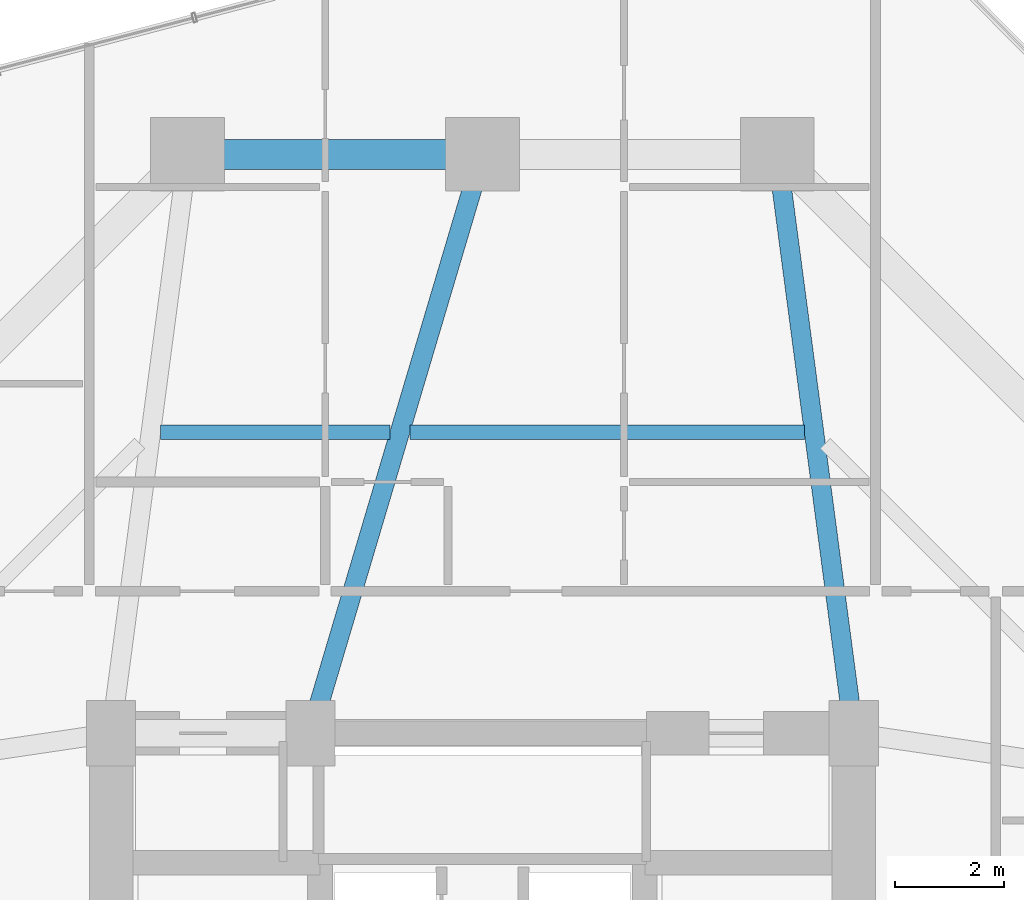
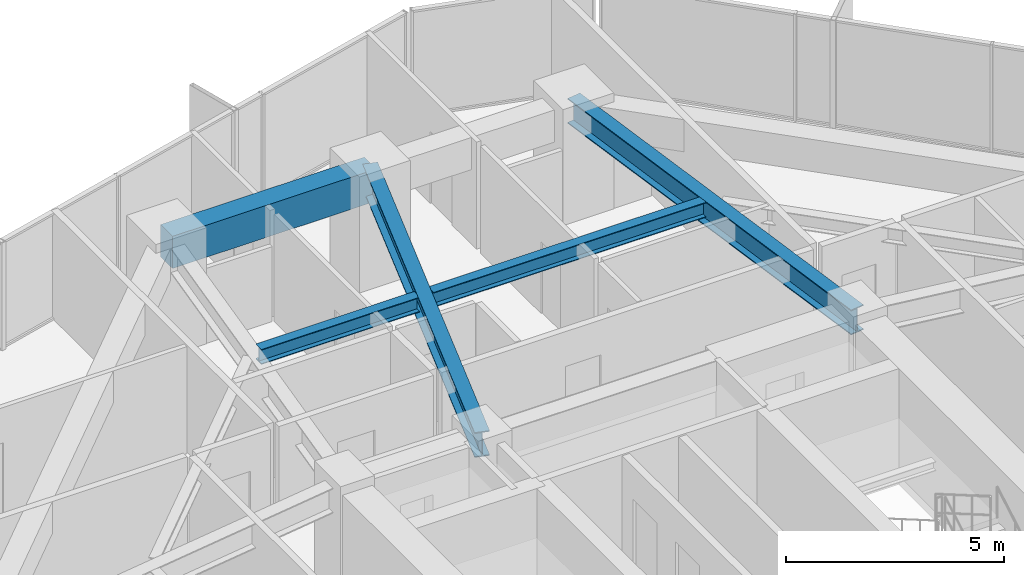
# One storey, part 25 of 39: 5 beams.
"""IFC4 building model written with IfcOpenShell, lengths in metres."""

from ifc_helpers import new_model, si_unit, direction, frame, origin, origin_2d, place, context, subcontext, project, spatial, rectangle, i_section, extrude, material, material_profile, profile_set, type_object, element, save


model = new_model("IFC4")

# Units and contexts
model_context = context("Model", 3, precision=1e-05, world=origin(), true_north=direction((0.0, 1.0)))
body_context = subcontext(model_context, "Body", "Model", "MODEL_VIEW")
ifc_project = project(units=[si_unit("LENGTHUNIT", "METRE"), si_unit("AREAUNIT", "SQUARE_METRE"), si_unit("VOLUMEUNIT", "CUBIC_METRE"), si_unit("PLANEANGLEUNIT", "RADIAN"), si_unit("MASSUNIT", "GRAM", prefix="KILO")], contexts=[model_context])

# Site, building, storey
site_placement = place(None, origin())
site = spatial("IfcSite", under=ifc_project, at=site_placement, CompositionType="ELEMENT")
building_placement = place(site_placement, origin())
building = spatial("IfcBuilding", under=site, at=building_placement, Name="Veraguas Prism Commons", CompositionType="ELEMENT")
storey_placement = place(building_placement, frame((0.0, 0.0, 73.85009765625)))
storey = spatial("IfcBuildingStorey", under=building, at=storey_placement, Name="L20", CompositionType="ELEMENT", Elevation=73.85009765625)

# Beams
ifc_material_1 = material(Name="Steel ASTM A992 Grade 50", Category="steel")
ifc_material_profile_1 = material_profile(ifc_material_1, i_section(OverallWidth=0.260986328125, OverallDepth=0.419921875, WebThickness=0.01171875, FlangeThickness=0.019287109375, at=origin_2d()), Name="W410X114")
ifc_profile_set_1 = profile_set([ifc_material_profile_1], Name="Steel ASTM A992 Grade 50")
beam_type_1 = type_object("IfcBeamType", Name="Lower Floor Joist W410x114", PredefinedType="JOIST", material=ifc_profile_set_1)
beam_1_placement = place(storey_placement, frame((29.89453125, 36.511962890625, 2.789794921875), z_axis=(-1.0, 0.0, 0.0), x_axis=(0.0, -1.0, 0.0)))
element("IfcBeam", 1, at=beam_1_placement, inside=storey, type_object=beam_type_1, Name="Composite Floor Joist L20-JS04", PredefinedType="JOIST", context=body_context, shape_type="SweptSolid", body=[
    extrude(i_section(OverallWidth=0.260986328125, OverallDepth=0.419921875, WebThickness=0.01171875, FlangeThickness=0.019287109375, at=origin_2d()), origin(), (0.0, 0.0, 1.0), 7.222900390625),
])
beam_2_placement = place(storey_placement, frame((22.304443359375, 36.511962890625, 2.789794921875), z_axis=(-1.0, 0.0, 0.0), x_axis=(0.0, -1.0, 0.0)))
element("IfcBeam", 2, at=beam_2_placement, inside=storey, type_object=beam_type_1, Name="Composite Floor Joist L20-JS05", PredefinedType="JOIST", context=body_context, shape_type="SweptSolid", body=[
    extrude(i_section(OverallWidth=0.260986328125, OverallDepth=0.419921875, WebThickness=0.01171875, FlangeThickness=0.019287109375, at=origin_2d()), origin(), (0.0, 0.0, 1.0), 4.198974609375),
])
ifc_material_2 = material(Name="Concrete C50/60", Category="concrete")
ifc_material_profile_2 = material_profile(ifc_material_2, rectangle(XDim=0.550048828125, YDim=0.89990234375, at=origin_2d()), Name="RC550X900")
ifc_profile_set_2 = profile_set([ifc_material_profile_2], Name="Concrete C50/60")
beam_type_2 = type_object("IfcBeamType", Name="Perimeter Spandrel Lower RC 550x900", PredefinedType="SPANDREL", material=ifc_profile_set_2)
beam_3_placement = place(storey_placement, frame((24.0, 41.60009765625, 2.5498046875), z_axis=(-1.0, 0.0, 0.0), x_axis=(0.0, -1.0, 0.0)))
element("IfcBeam", 3, at=beam_3_placement, inside=storey, type_object=beam_type_2, Name="Perimeter Spandrel Beam L20-SP05", PredefinedType="SPANDREL", context=body_context, shape_type="SweptSolid", body=[
    extrude(rectangle(XDim=0.550048828125, YDim=0.89990234375, at=origin_2d()), origin(), (0.0, 0.0, 1.0), 5.39990234375),
])
ifc_material_profile_3 = material_profile(ifc_material_1, i_section(OverallWidth=0.35595703125, OverallDepth=0.700927734375, WebThickness=0.016845703125, FlangeThickness=0.02734375, at=origin_2d()), Name="W690X240")
ifc_profile_set_3 = profile_set([ifc_material_profile_3], Name="Steel ASTM A992 Grade 50")
beam_type_3 = type_object("IfcBeamType", Name="Zone 1 Radial Girder W690x240", PredefinedType="BEAM", material=ifc_profile_set_3)
beam_4_placement = place(storey_placement, frame((29.39990234375, 41.60009765625, 2.6494140625), z_axis=(0.130950648891, -0.991388888154, 0.0), x_axis=(0.991388888154, 0.130950648891, 0.0)))
element("IfcBeam", 4, at=beam_4_placement, inside=storey, type_object=beam_type_3, Name="Radial Floor Girder L20-RD04", PredefinedType="BEAM", context=body_context, shape_type="SweptSolid", body=[
    extrude(i_section(OverallWidth=0.35595703125, OverallDepth=0.700927734375, WebThickness=0.016845703125, FlangeThickness=0.02734375, at=origin_2d()), origin(), (0.0, 0.0, 1.0), 10.692138671875),
])
beam_5_placement = place(storey_placement, frame((24.0, 41.60009765625, 2.6494140625), z_axis=(-0.28484745997, -0.958572858237, 0.0), x_axis=(0.958572858237, -0.28484745997, 0.0)))
element("IfcBeam", 5, at=beam_5_placement, inside=storey, type_object=beam_type_3, Name="Radial Floor Girder L20-RD05", PredefinedType="BEAM", context=body_context, shape_type="SweptSolid", body=[
    extrude(i_section(OverallWidth=0.35595703125, OverallDepth=0.700927734375, WebThickness=0.016845703125, FlangeThickness=0.02734375, at=origin_2d()), origin(), (0.0, 0.0, 1.0), 11.05810546875),
])

save(model, "model.ifc")
